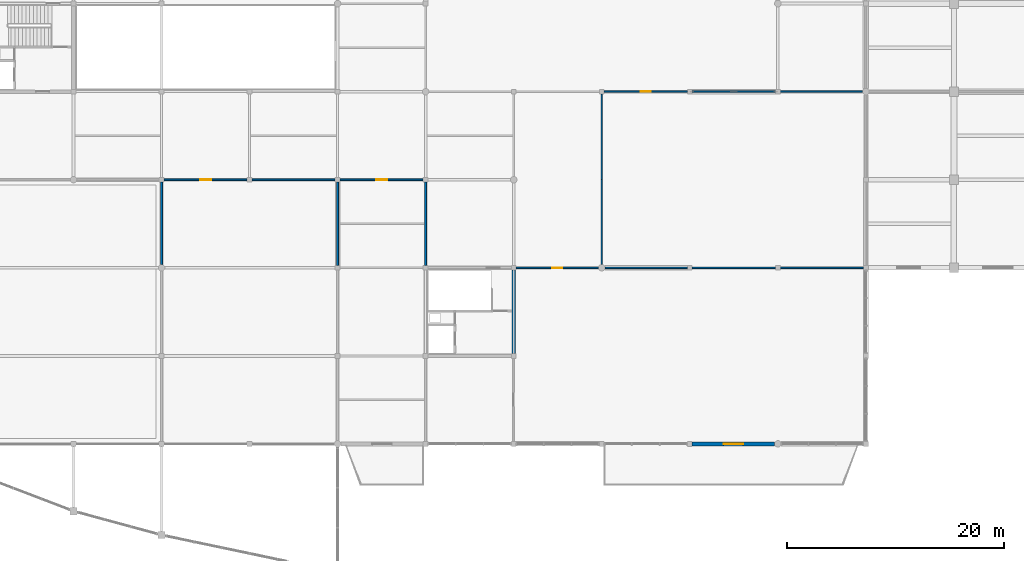
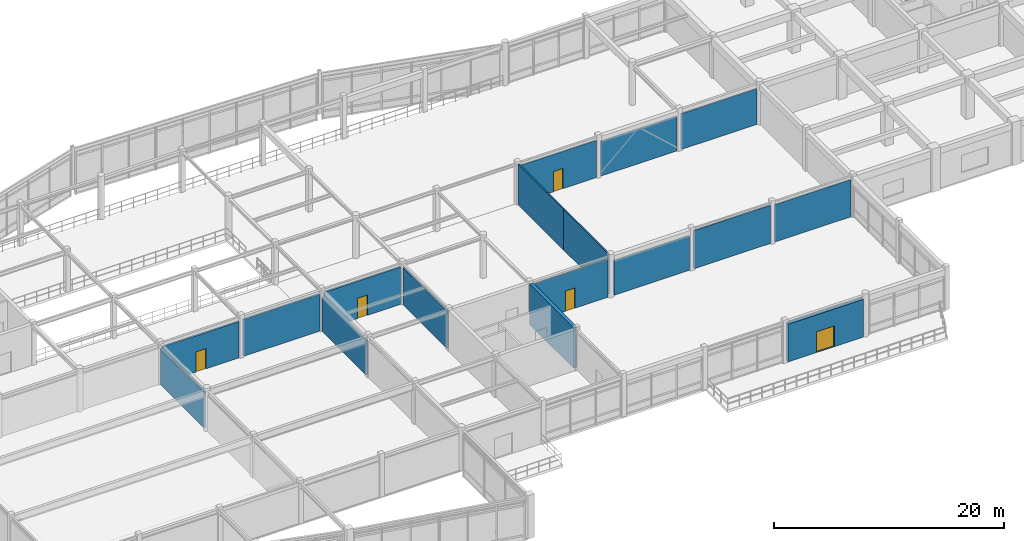
# One storey, part 65 of 93: 17 walls, 5 doors, 5 openings.
"""IFC4 building model written with IfcOpenShell, lengths in metres."""

from ifc_helpers import new_model, si_unit, direction, frame, frame_2d, origin, place, context, subcontext, project, spatial, rectangle, extrude, material, layer, layer_set, type_object, element, fill, save


model = new_model("IFC4")

# Units and contexts
model_context = context("Model", 3, precision=1e-05, world=origin(), true_north=direction((0.0, 1.0)))
body_context = subcontext(model_context, "Body", "Model", "MODEL_VIEW")
ifc_project = project(units=[si_unit("LENGTHUNIT", "METRE"), si_unit("AREAUNIT", "SQUARE_METRE"), si_unit("VOLUMEUNIT", "CUBIC_METRE"), si_unit("PLANEANGLEUNIT", "RADIAN"), si_unit("MASSUNIT", "GRAM", prefix="KILO")], contexts=[model_context])

# Site, building, storey
site_placement = place(None, origin())
site = spatial("IfcSite", under=ifc_project, at=site_placement, CompositionType="ELEMENT")
building_placement = place(site_placement, origin())
building = spatial("IfcBuilding", under=site, at=building_placement, Name="Vaudrelin Polytechnic", CompositionType="ELEMENT")
storey_placement = place(building_placement, frame((0.0, 0.0, 5.10009765625)))
storey = spatial("IfcBuildingStorey", under=building, at=storey_placement, Name="L01", CompositionType="ELEMENT", Elevation=5.10009765625)

# Wall, opening, door
ifc_material_1 = material(Name="Precast concrete 35 MPa with standing-seam zinc rainscreen", Category="concrete")
ifc_layer_1 = layer(ifc_material_1, 0.360107421875)
ifc_layer_set_1 = layer_set([ifc_layer_1], Name="Precast concrete 35 MPa with standing-seam zinc rainscreen")
wall_type_1 = type_object("IfcWallType", Name="WAL-EW-ZINC360", PredefinedType="STANDARD", material=ifc_layer_set_1)
wall_1_placement = place(storey_placement, frame((113.623046875, 0.0, 0.0), z_axis=(0.0, 0.0, 1.0), x_axis=(1.0, 0.0, 0.0)))
wall_1 = element("IfcWall", 1, at=wall_1_placement, inside=storey, type_object=wall_type_1, Name="Exterior wall L01 S_V3_04", PredefinedType="STANDARD", context=body_context, shape_type="SweptSolid", body=[
    extrude(rectangle(XDim=7.578857421875, YDim=0.360107421875, at=frame_2d((3.78955078125, 0.0))), origin(), (0.0, 0.0, 1.0), 4.005859375),
])
opening_1_placement = place(wall_1_placement, frame((4.689453125, 0.0, 0.0), z_axis=(0.0, 0.0, 1.0), x_axis=(-1.0, 0.0, 0.0)))
opening_1 = element("IfcOpeningElement", 2, at=opening_1_placement, cuts=wall_1, Name="Opening TD-01-02", PredefinedType="OPENING", context=body_context, shape_type="SweptSolid", body=[
    extrude(rectangle(XDim=1.800048828125, YDim=2.199951171875, at=frame_2d((0.89990234375, 1.10009765625))), frame((0.0, 0.18994140625, 0.0), z_axis=(0.0, -1.0, 0.0), x_axis=(1.0, 0.0, 0.0)), (0.0, 0.0, 1.0), 0.380126953125),
])
ifc_material_2 = material(Name="Thermally broken anodised aluminium AA 6063-T6", Category="aluminium")
door_type_1 = type_object("IfcDoorType", Name="DOR-ED-03", OperationType="DOUBLE_SWING_LEFT", PredefinedType="DOOR", material=ifc_material_2)
door_1_placement = place(opening_1_placement, origin())
door_1 = element("IfcDoor", 3, at=door_1_placement, inside=storey, type_object=door_type_1, Name="Exterior exit door TD-01-02", OperationType="DOUBLE_SWING_RIGHT", OverallHeight=2.199951171875, OverallWidth=1.800048828125, PredefinedType="DOOR", context=body_context, shape_type="SweptSolid", body=[
    extrude(rectangle(XDim=1.800048828125, YDim=2.199951171875, at=frame_2d((0.89990234375, 1.10009765625))), frame((0.0, 0.02490234375, 0.0), z_axis=(0.0, -1.0, 0.0), x_axis=(1.0, 0.0, 0.0)), (0.0, 0.0, 1.0), 0.050048828125),
])
fill(opening_1, door_1)

# Wall
ifc_material_3 = material(Name="Acoustic double-stud gypsum & mineral-wool partition", Category="gypsum")
ifc_layer_2 = layer(ifc_material_3, 0.179931640625)
ifc_layer_set_2 = layer_set([ifc_layer_2], Name="Acoustic double-stud gypsum & mineral-wool partition")
wall_type_2 = type_object("IfcWallType", Name="WAL-PW-AC180", PredefinedType="PARTITIONING", material=ifc_layer_set_2)
wall_2_placement = place(storey_placement, frame((64.800048828125, 16.498046875, 0.0), z_axis=(0.0, 0.0, 1.0), x_axis=(0.0, 1.0, 0.0)))
element("IfcWall", 4, at=wall_2_placement, inside=storey, type_object=wall_type_2, Name="Partition L01-007 E", PredefinedType="PARTITIONING", context=body_context, shape_type="SweptSolid", body=[
    extrude(rectangle(XDim=7.578857421875, YDim=0.179931640625, at=frame_2d((3.78955078125, 0.0))), origin(), (0.0, 0.0, 1.0), 3.848876953125),
])

# Wall, opening, door
wall_3_placement = place(storey_placement, frame((65.02294921875, 24.300048828125, 0.0), z_axis=(0.0, 0.0, 1.0), x_axis=(1.0, 0.0, 0.0)))
wall_3 = element("IfcWall", 5, at=wall_3_placement, inside=storey, type_object=wall_type_2, Name="Partition L01-008 N", PredefinedType="PARTITIONING", context=body_context, shape_type="SweptSolid", body=[
    extrude(rectangle(XDim=7.654052734375, YDim=0.179931640625, at=frame_2d((3.8271484375, 0.0))), origin(), (0.0, 0.0, 1.0), 3.851806640625),
])
opening_2_placement = place(wall_3_placement, frame((3.326904296875, 0.0, 0.0)))
opening_2 = element("IfcOpeningElement", 6, at=opening_2_placement, cuts=wall_3, Name="Opening D-L01-448", PredefinedType="OPENING", context=body_context, shape_type="SweptSolid", body=[
    extrude(rectangle(XDim=1.0, YDim=2.14990234375, at=frame_2d((0.5, 1.074951171875))), frame((0.0, 0.10009765625, 0.0), z_axis=(0.0, -1.0, 0.0), x_axis=(1.0, 0.0, 0.0)), (0.0, 0.0, 1.0), 0.199951171875),
])
ifc_material_4 = material(Name="Solid-core birch veneer acoustic leaf", Category="wood")
door_type_2 = type_object("IfcDoorType", Name="DOR-ID-SEM1", OperationType="NOTDEFINED", PredefinedType="DOOR", material=ifc_material_4)
door_2_placement = place(opening_2_placement, origin())
door_2 = element("IfcDoor", 7, at=door_2_placement, inside=storey, type_object=door_type_2, Name="Seminar Room 101 door L01-008", OperationType="SINGLE_SWING_RIGHT", OverallHeight=2.14990234375, OverallWidth=1.0, PredefinedType="DOOR", context=body_context, shape_type="SweptSolid", body=[
    extrude(rectangle(XDim=1.0, YDim=2.14990234375, at=frame_2d((0.5, 1.074951171875))), frame((0.0, 0.02490234375, 0.0), z_axis=(0.0, -1.0, 0.0), x_axis=(1.0, 0.0, 0.0)), (0.0, 0.0, 1.0), 0.050048828125),
])
fill(opening_2, door_2)

# Walls
wall_4_placement = place(storey_placement, frame((73.123046875, 24.300048828125, 0.0), z_axis=(0.0, 0.0, 1.0), x_axis=(1.0, 0.0, 0.0)))
element("IfcWall", 8, at=wall_4_placement, inside=storey, type_object=wall_type_2, Name="Partition L01-008 N", PredefinedType="PARTITIONING", context=body_context, shape_type="SweptSolid", body=[
    extrude(rectangle(XDim=7.654052734375, YDim=0.179931640625, at=frame_2d((3.8271484375, 0.0))), origin(), (0.0, 0.0, 1.0), 3.89697265625),
])
wall_5_placement = place(storey_placement, frame((81.0, 16.423095703125, 0.0), z_axis=(0.0, 0.0, 1.0), x_axis=(0.0, 1.0, 0.0)))
element("IfcWall", 9, at=wall_5_placement, inside=storey, type_object=wall_type_2, Name="Partition L01-008 E", PredefinedType="PARTITIONING", context=body_context, shape_type="SweptSolid", body=[
    extrude(rectangle(XDim=7.65380859375, YDim=0.179931640625, at=frame_2d((3.826904296875, 0.0))), origin(), (0.0, 0.0, 1.0), 3.661865234375),
])

# Wall, opening, door
wall_6_placement = place(storey_placement, frame((81.222900390625, 24.300048828125, 0.0), z_axis=(0.0, 0.0, 1.0), x_axis=(1.0, 0.0, 0.0)))
wall_6 = element("IfcWall", 10, at=wall_6_placement, inside=storey, type_object=wall_type_2, Name="Partition L01-014 N", PredefinedType="PARTITIONING", context=body_context, shape_type="SweptSolid", body=[
    extrude(rectangle(XDim=7.654052734375, YDim=0.179931640625, at=frame_2d((3.8271484375, 0.0))), origin(), (0.0, 0.0, 1.0), 3.953857421875),
])
opening_3_placement = place(wall_6_placement, frame((3.326904296875, 0.0, 0.0)))
opening_3 = element("IfcOpeningElement", 11, at=opening_3_placement, cuts=wall_6, Name="Opening D-L01-451", PredefinedType="OPENING", context=body_context, shape_type="SweptSolid", body=[
    extrude(rectangle(XDim=1.0, YDim=2.14990234375, at=frame_2d((0.5, 1.074951171875))), frame((0.0, 0.10009765625, 0.0), z_axis=(0.0, -1.0, 0.0), x_axis=(1.0, 0.0, 0.0)), (0.0, 0.0, 1.0), 0.199951171875),
])
door_3_placement = place(opening_3_placement, origin())
door_3 = element("IfcDoor", 12, at=door_3_placement, inside=storey, type_object=door_type_2, Name="Student Union Meeting Room door L01-014", OperationType="SINGLE_SWING_RIGHT", OverallHeight=2.14990234375, OverallWidth=1.0, PredefinedType="DOOR", context=body_context, shape_type="SweptSolid", body=[
    extrude(rectangle(XDim=1.0, YDim=2.14990234375, at=frame_2d((0.5, 1.074951171875))), frame((0.0, 0.02490234375, 0.0), z_axis=(0.0, -1.0, 0.0), x_axis=(1.0, 0.0, 0.0)), (0.0, 0.0, 1.0), 0.050048828125),
])
fill(opening_3, door_3)

# Wall
wall_7_placement = place(storey_placement, frame((89.10009765625, 16.423095703125, 0.0), z_axis=(0.0, 0.0, 1.0), x_axis=(0.0, 1.0, 0.0)))
element("IfcWall", 13, at=wall_7_placement, inside=storey, type_object=wall_type_2, Name="Partition L01-014 E", PredefinedType="PARTITIONING", context=body_context, shape_type="SweptSolid", body=[
    extrude(rectangle(XDim=7.65380859375, YDim=0.179931640625, at=frame_2d((3.826904296875, 0.0))), origin(), (0.0, 0.0, 1.0), 3.953857421875),
])

# Wall, opening, door
ifc_material_5 = material(Name="Acoustic steel-stud office & study room partition", Category="steel")
ifc_layer_3 = layer(ifc_material_5, 0.135009765625)
ifc_layer_set_3 = layer_set([ifc_layer_3], Name="Acoustic steel-stud office & study room partition")
wall_type_3 = type_object("IfcWallType", Name="WAL-PW-OFF135", PredefinedType="PARTITIONING", material=ifc_layer_set_3)
wall_8_placement = place(storey_placement, frame((105.52294921875, 32.39990234375, 0.0), z_axis=(0.0, 0.0, 1.0), x_axis=(1.0, 0.0, 0.0)))
wall_8 = element("IfcWall", 14, at=wall_8_placement, inside=storey, type_object=wall_type_3, Name="Partition L01-012 N", PredefinedType="PARTITIONING", context=body_context, shape_type="SweptSolid", body=[
    extrude(rectangle(XDim=7.654052734375, YDim=0.135009765625, at=frame_2d((3.8271484375, 0.0))), origin(), (0.0, 0.0, 1.0), 3.955810546875),
])
opening_4_placement = place(wall_8_placement, frame((3.35205078125, 0.0, 0.0)))
opening_4 = element("IfcOpeningElement", 15, at=opening_4_placement, cuts=wall_8, Name="Opening D-L01-449", PredefinedType="OPENING", context=body_context, shape_type="SweptSolid", body=[
    extrude(rectangle(XDim=0.949951171875, YDim=2.14990234375, at=frame_2d((0.47509765625, 1.074951171875))), frame((0.0, 0.07763671875, 0.0), z_axis=(0.0, -1.0, 0.0), x_axis=(1.0, 0.0, 0.0)), (0.0, 0.0, 1.0), 0.155029296875),
])
door_type_3 = type_object("IfcDoorType", Name="DOR-ID-OFF1", OperationType="NOTDEFINED", PredefinedType="DOOR", material=ifc_material_4)
door_4_placement = place(opening_4_placement, origin())
door_4 = element("IfcDoor", 16, at=door_4_placement, inside=storey, type_object=door_type_3, Name="Student Union Lounge and Study Hall door L01-012", OperationType="SINGLE_SWING_RIGHT", OverallHeight=2.14990234375, OverallWidth=0.949951171875, PredefinedType="DOOR", context=body_context, shape_type="SweptSolid", body=[
    extrude(rectangle(XDim=0.949951171875, YDim=2.14990234375, at=frame_2d((0.47509765625, 1.074951171875))), frame((0.0, 0.02490234375, 0.0), z_axis=(0.0, -1.0, 0.0), x_axis=(1.0, 0.0, 0.0)), (0.0, 0.0, 1.0), 0.050048828125),
])
fill(opening_4, door_4)

# Walls
wall_9_placement = place(storey_placement, frame((113.623046875, 32.39990234375, 0.0), z_axis=(0.0, 0.0, 1.0), x_axis=(1.0, 0.0, 0.0)))
element("IfcWall", 17, at=wall_9_placement, inside=storey, type_object=wall_type_3, Name="Partition L01-012 N", PredefinedType="PARTITIONING", context=body_context, shape_type="SweptSolid", body=[
    extrude(rectangle(XDim=7.654052734375, YDim=0.135009765625, at=frame_2d((3.8271484375, 0.0))), origin(), (0.0, 0.0, 1.0), 3.661865234375),
])
wall_10_placement = place(storey_placement, frame((121.722900390625, 32.39990234375, 0.0), z_axis=(0.0, 0.0, 1.0), x_axis=(1.0, 0.0, 0.0)))
element("IfcWall", 18, at=wall_10_placement, inside=storey, type_object=wall_type_3, Name="Partition L01-012 N", PredefinedType="PARTITIONING", context=body_context, shape_type="SweptSolid", body=[
    extrude(rectangle(XDim=7.5791015625, YDim=0.135009765625, at=frame_2d((3.78955078125, 0.0))), origin(), (0.0, 0.0, 1.0), 3.77880859375),
])
wall_11_placement = place(storey_placement, frame((105.597900390625, 16.199951171875, 0.0), z_axis=(0.0, 0.0, 1.0), x_axis=(1.0, 0.0, 0.0)))
element("IfcWall", 19, at=wall_11_placement, inside=storey, type_object=wall_type_3, Name="Partition L01-012 S", PredefinedType="PARTITIONING", context=body_context, shape_type="SweptSolid", body=[
    extrude(rectangle(XDim=7.5791015625, YDim=0.135009765625, at=frame_2d((3.78955078125, 0.0))), origin(), (0.0, 0.0, 1.0), 3.661865234375),
])
wall_12_placement = place(storey_placement, frame((113.623046875, 16.199951171875, 0.0), z_axis=(0.0, 0.0, 1.0), x_axis=(1.0, 0.0, 0.0)))
element("IfcWall", 20, at=wall_12_placement, inside=storey, type_object=wall_type_3, Name="Partition L01-012 S", PredefinedType="PARTITIONING", context=body_context, shape_type="SweptSolid", body=[
    extrude(rectangle(XDim=7.654052734375, YDim=0.135009765625, at=frame_2d((3.8271484375, 0.0))), origin(), (0.0, 0.0, 1.0), 4.0458984375),
])
wall_13_placement = place(storey_placement, frame((121.722900390625, 16.199951171875, 0.0), z_axis=(0.0, 0.0, 1.0), x_axis=(1.0, 0.0, 0.0)))
element("IfcWall", 21, at=wall_13_placement, inside=storey, type_object=wall_type_3, Name="Partition L01-012 S", PredefinedType="PARTITIONING", context=body_context, shape_type="SweptSolid", body=[
    extrude(rectangle(XDim=7.654052734375, YDim=0.135009765625, at=frame_2d((3.8271484375, 0.0))), origin(), (0.0, 0.0, 1.0), 3.955810546875),
])
wall_14_placement = place(storey_placement, frame((105.300048828125, 16.498046875, 0.0), z_axis=(0.0, 0.0, 1.0), x_axis=(0.0, 1.0, 0.0)))
element("IfcWall", 22, at=wall_14_placement, inside=storey, type_object=wall_type_3, Name="Partition L01-012 W", PredefinedType="PARTITIONING", context=body_context, shape_type="SweptSolid", body=[
    extrude(rectangle(XDim=7.802001953125, YDim=0.135009765625, at=frame_2d((3.90087890625, 0.0))), origin(), (0.0, 0.0, 1.0), 4.31201171875),
])
wall_15_placement = place(storey_placement, frame((105.300048828125, 24.300048828125, 0.0), z_axis=(0.0, 0.0, 1.0), x_axis=(0.0, 1.0, 0.0)))
element("IfcWall", 23, at=wall_15_placement, inside=storey, type_object=wall_type_3, Name="Partition L01-012 W", PredefinedType="PARTITIONING", context=body_context, shape_type="SweptSolid", body=[
    extrude(rectangle(XDim=7.876953125, YDim=0.135009765625, at=frame_2d((3.9384765625, 0.0))), origin(), (0.0, 0.0, 1.0), 4.31201171875),
])

# Wall, opening, door
wall_16_placement = place(storey_placement, frame((97.423095703125, 16.199951171875, 0.0), z_axis=(0.0, 0.0, 1.0), x_axis=(1.0, 0.0, 0.0)))
wall_16 = element("IfcWall", 24, at=wall_16_placement, inside=storey, type_object=wall_type_3, Name="Partition L01-013 N", PredefinedType="PARTITIONING", context=body_context, shape_type="SweptSolid", body=[
    extrude(rectangle(XDim=7.578857421875, YDim=0.135009765625, at=frame_2d((3.78955078125, 0.0))), origin(), (0.0, 0.0, 1.0), 4.005859375),
])
opening_5_placement = place(wall_16_placement, frame((3.314453125, 0.0, 0.0)))
opening_5 = element("IfcOpeningElement", 25, at=opening_5_placement, cuts=wall_16, Name="Opening D-L01-450", PredefinedType="OPENING", context=body_context, shape_type="SweptSolid", body=[
    extrude(rectangle(XDim=0.949951171875, YDim=2.14990234375, at=frame_2d((0.47509765625, 1.074951171875))), frame((0.0, 0.07763671875, 0.0), z_axis=(0.0, -1.0, 0.0), x_axis=(1.0, 0.0, 0.0)), (0.0, 0.0, 1.0), 0.155029296875),
])
door_5_placement = place(opening_5_placement, origin())
door_5 = element("IfcDoor", 26, at=door_5_placement, inside=storey, type_object=door_type_3, Name="Student Societies Workshop Room door L01-013", OperationType="SINGLE_SWING_LEFT", OverallHeight=2.14990234375, OverallWidth=0.949951171875, PredefinedType="DOOR", context=body_context, shape_type="SweptSolid", body=[
    extrude(rectangle(XDim=0.949951171875, YDim=2.14990234375, at=frame_2d((0.47509765625, 1.074951171875))), frame((0.0, 0.02490234375, 0.0), z_axis=(0.0, -1.0, 0.0), x_axis=(1.0, 0.0, 0.0)), (0.0, 0.0, 1.0), 0.050048828125),
])
fill(opening_5, door_5)

# Wall
ifc_material_6 = material(Name="Concrete 50 MPa", Category="concrete")
ifc_layer_4 = layer(ifc_material_6, 0.35009765625)
ifc_layer_set_4 = layer_set([ifc_layer_4], Name="Concrete 50 MPa")
wall_type_4 = type_object("IfcWallType", Name="WAL-SW-CORE350", PredefinedType="SHEAR", material=ifc_layer_set_4)
wall_17_placement = place(storey_placement, frame((97.199951171875, 8.322998046875, 0.0), z_axis=(0.0, 0.0, 1.0), x_axis=(0.0, 1.0, 0.0)))
element("IfcWall", 27, at=wall_17_placement, inside=storey, type_object=wall_type_4, Name="Core C5 E shear wall L01", PredefinedType="SHEAR", context=body_context, shape_type="SweptSolid", body=[
    extrude(rectangle(XDim=7.654052734375, YDim=0.35009765625, at=frame_2d((3.8271484375, 0.0))), origin(), (0.0, 0.0, 1.0), 4.31201171875),
])

save(model, "model.ifc")
